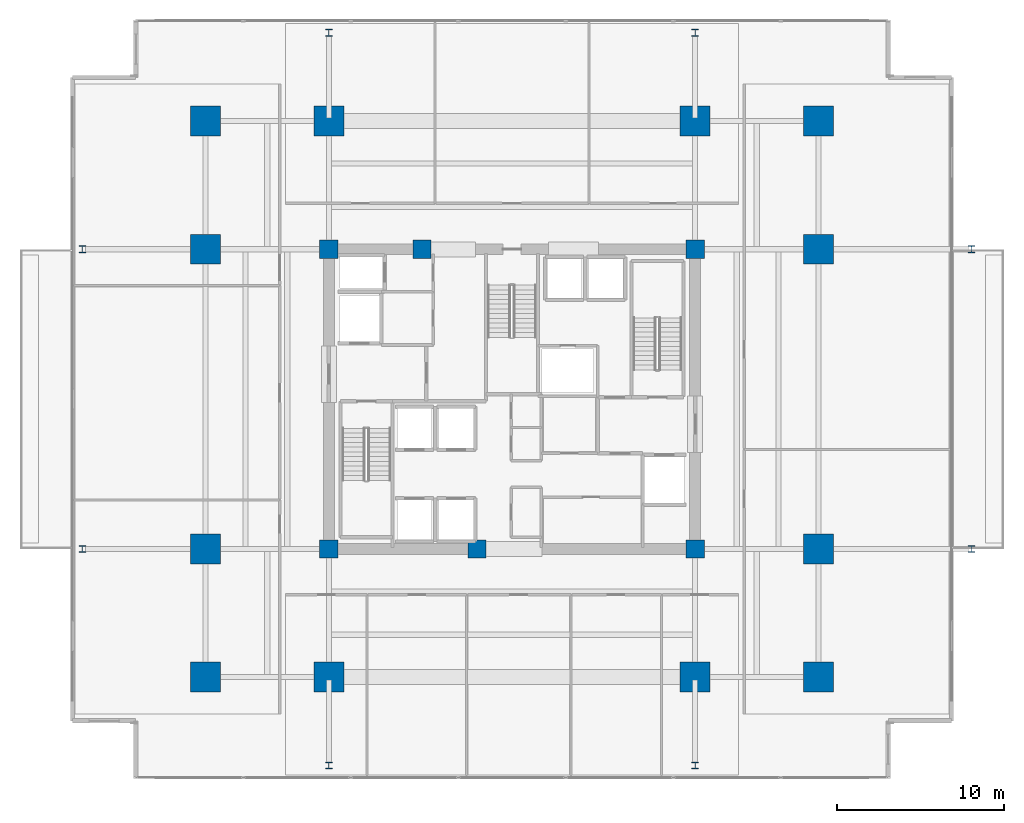
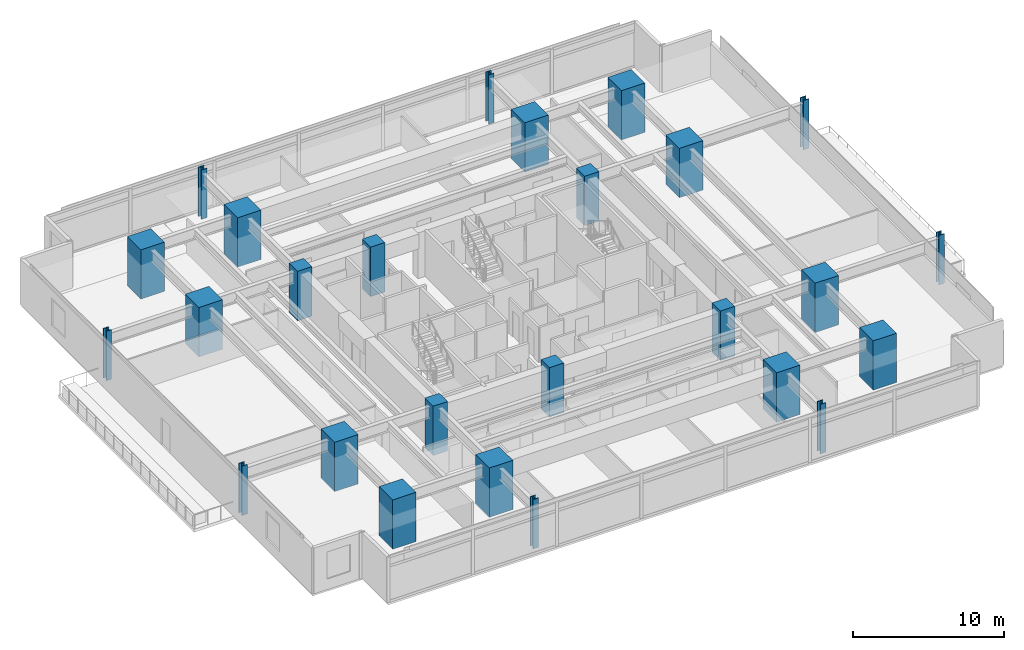
# One storey, part 1 of 23: 26 columns.
"""IFC4 building model written with IfcOpenShell, lengths in metres."""

from ifc_helpers import new_model, si_unit, direction, frame, origin, origin_2d, place, context, subcontext, project, spatial, rectangle, i_section, extrude, material, material_profile, profile_set, type_object, element, save


model = new_model("IFC4")

# Units and contexts
model_context = context("Model", 3, precision=1e-05, world=origin(), true_north=direction((0.0, 1.0)))
body_context = subcontext(model_context, "Body", "Model", "MODEL_VIEW")
ifc_project = project(units=[si_unit("LENGTHUNIT", "METRE"), si_unit("AREAUNIT", "SQUARE_METRE"), si_unit("VOLUMEUNIT", "CUBIC_METRE"), si_unit("PLANEANGLEUNIT", "RADIAN"), si_unit("MASSUNIT", "GRAM", prefix="KILO")], contexts=[model_context])

# Site, building, storey
site_placement = place(None, origin())
site = spatial("IfcSite", under=ifc_project, at=site_placement, CompositionType="ELEMENT")
building_placement = place(site_placement, origin())
building = spatial("IfcBuilding", under=site, at=building_placement, Name="Kovane Verandah Tower", CompositionType="ELEMENT")
storey_placement = place(building_placement, frame((0.0, 0.0, 103.60009765625)))
storey = spatial("IfcBuildingStorey", under=building, at=storey_placement, Name="L24", CompositionType="ELEMENT", Elevation=103.60009765625)

# Columns
ifc_material_1 = material(Name="Concrete C80/95", Category="concrete")
ifc_material_profile_1 = material_profile(ifc_material_1, rectangle(XDim=1.800048828125, YDim=1.800048828125, at=origin_2d()), Name="RC1800x1800")
ifc_profile_set_1 = profile_set([ifc_material_profile_1], Name="Concrete C80/95")
column_type_1 = type_object("IfcColumnType", Name="COL-RC1800", PredefinedType="COLUMN", material=ifc_profile_set_1)
for number, where, z_axis, x_axis, name in (
    (1, (29.0, 10.800048828125, 0.0), (0.0, 0.0, 1.0), (1.0, 0.0, 0.0), "L24 Tower Mega-Column MC-S1"),
    (2, (51.0, 10.800048828125, 0.0), (0.0, 0.0, 1.0), (1.0, 0.0, 0.0), "L24 Tower Mega-Column MC-S2"),
    (3, (29.0, 44.199951171875, 0.0), (0.0, 0.0, 1.0), (1.0, 0.0, 0.0), "L24 Tower Mega-Column MC-N1"),
    (4, (51.0, 44.199951171875, 0.0), (0.0, 0.0, 1.0), (1.0, 0.0, 0.0), "L24 Tower Mega-Column MC-N2"),
    (5, (21.60009765625, 18.5, 0.0), (0.0, 0.0, 1.0), (1.0, 0.0, 0.0), "L24 Tower Mega-Column MC-W1"),
    (6, (21.60009765625, 36.5, 0.0), (0.0, 0.0, 1.0), (1.0, 0.0, 0.0), "L24 Tower Mega-Column MC-W2"),
    (7, (58.39990234375, 18.5, 0.0), (0.0, 0.0, 1.0), (1.0, 0.0, 0.0), "L24 Tower Mega-Column MC-E1"),
    (8, (58.39990234375, 36.5, 0.0), (0.0, 0.0, 1.0), (1.0, 0.0, 0.0), "L24 Tower Mega-Column MC-E2"),
    (9, (21.60009765625, 10.800048828125, 0.0), (0.0, 0.0, 1.0), (1.0, 0.0, 0.0), "L24 Tower Mega-Column MC-SW"),
    (10, (58.39990234375, 10.800048828125, 0.0), (0.0, 0.0, 1.0), (1.0, 0.0, 0.0), "L24 Tower Mega-Column MC-SE"),
    (11, (21.60009765625, 44.199951171875, 0.0), (0.0, 0.0, 1.0), (1.0, 0.0, 0.0), "L24 Tower Mega-Column MC-NW"),
    (12, (58.39990234375, 44.199951171875, 0.0), (0.0, 0.0, 1.0), (1.0, 0.0, 0.0), "L24 Tower Mega-Column MC-NE"),
):
    element("IfcColumn", number, at=place(storey_placement, frame(where, z_axis=z_axis, x_axis=x_axis)), inside=storey, type_object=column_type_1, Name=name, PredefinedType="COLUMN", context=body_context, shape_type="SweptSolid", body=[
        extrude(rectangle(XDim=1.800048828125, YDim=1.800048828125, at=origin_2d()), origin(), (0.0, 0.0, 1.0), 4.0),
    ])
ifc_material_2 = material(Name="Steel S460", Category="steel")
ifc_material_profile_2 = material_profile(ifc_material_2, i_section(OverallWidth=0.412109375, OverallDepth=0.4365234375, WebThickness=0.035888671875, FlangeThickness=0.05810546875, FilletRadius=0.01513671875, at=origin_2d()), Name="UC356x406x467")
ifc_profile_set_2 = profile_set([ifc_material_profile_2], Name="Steel S460")
column_type_2 = type_object("IfcColumnType", Name="COL-UC467", PredefinedType="COLUMN", material=ifc_profile_set_2)
for number, where, z_axis, x_axis, name in (
    (13, (14.199951171875, 18.5, 0.0), (0.0, 0.0, 1.0), (1.0, 0.0, 0.0), "L24 Verandah Perimeter Column VC-W1"),
    (14, (14.199951171875, 36.5, 0.0), (0.0, 0.0, 1.0), (1.0, 0.0, 0.0), "L24 Verandah Perimeter Column VC-W2"),
    (15, (67.60009765625, 18.5, 0.0), (0.0, 0.0, 1.0), (1.0, 0.0, 0.0), "L24 Verandah Perimeter Column VC-E1"),
    (16, (67.60009765625, 36.5, 0.0), (0.0, 0.0, 1.0), (1.0, 0.0, 0.0), "L24 Verandah Perimeter Column VC-E2"),
    (17, (29.0, 5.5, 0.0), (0.0, 0.0, 1.0), (1.0, 0.0, 0.0), "L24 Verandah Perimeter Column VC-S1"),
    (18, (51.0, 5.5, 0.0), (0.0, 0.0, 1.0), (1.0, 0.0, 0.0), "L24 Verandah Perimeter Column VC-S2"),
    (19, (29.0, 49.5, 0.0), (0.0, 0.0, 1.0), (1.0, 0.0, 0.0), "L24 Verandah Perimeter Column VC-N1"),
    (20, (51.0, 49.5, 0.0), (0.0, 0.0, 1.0), (1.0, 0.0, 0.0), "L24 Verandah Perimeter Column VC-N2"),
):
    element("IfcColumn", number, at=place(storey_placement, frame(where, z_axis=z_axis, x_axis=x_axis)), inside=storey, type_object=column_type_2, Name=name, PredefinedType="COLUMN", context=body_context, shape_type="SweptSolid", body=[
        extrude(i_section(OverallWidth=0.412109375, OverallDepth=0.4365234375, WebThickness=0.035888671875, FlangeThickness=0.05810546875, FilletRadius=0.01513671875, at=origin_2d()), origin(), (0.0, 0.0, 1.0), 4.0),
    ])
ifc_material_profile_3 = material_profile(ifc_material_1, rectangle(XDim=1.10009765625, YDim=1.10009765625, at=origin_2d()), Name="RC1100x1100")
ifc_profile_set_3 = profile_set([ifc_material_profile_3], Name="Concrete C80/95")
column_type_3 = type_object("IfcColumnType", Name="PIL-RC1100", PredefinedType="PILASTER", material=ifc_profile_set_3)
for number, where, z_axis, x_axis, name in (
    (21, (29.0, 18.5, 0.0), (0.0, 0.0, 1.0), (1.0, 0.0, 0.0), "L24 Core Pilaster CP-SW"),
    (22, (51.0, 18.5, 0.0), (0.0, 0.0, 1.0), (1.0, 0.0, 0.0), "L24 Core Pilaster CP-SE"),
    (23, (29.0, 36.5, 0.0), (0.0, 0.0, 1.0), (1.0, 0.0, 0.0), "L24 Core Pilaster CP-NW"),
    (24, (51.0, 36.5, 0.0), (0.0, 0.0, 1.0), (1.0, 0.0, 0.0), "L24 Core Pilaster CP-NE"),
    (25, (37.89990234375, 18.5, 0.0), (0.0, 0.0, 1.0), (1.0, 0.0, 0.0), "L24 Core Pilaster CP-S"),
    (26, (34.60009765625, 36.5, 0.0), (0.0, 0.0, 1.0), (1.0, 0.0, 0.0), "L24 Core Pilaster CP-N"),
):
    element("IfcColumn", number, at=place(storey_placement, frame(where, z_axis=z_axis, x_axis=x_axis)), inside=storey, type_object=column_type_3, Name=name, PredefinedType="PILASTER", context=body_context, shape_type="SweptSolid", body=[
        extrude(rectangle(XDim=1.10009765625, YDim=1.10009765625, at=origin_2d()), origin(), (0.0, 0.0, 1.0), 4.0),
    ])

save(model, "model.ifc")
